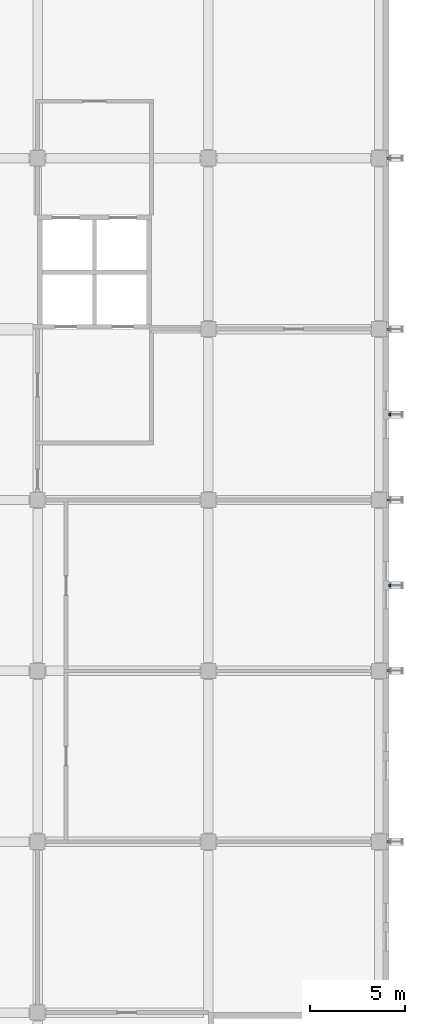
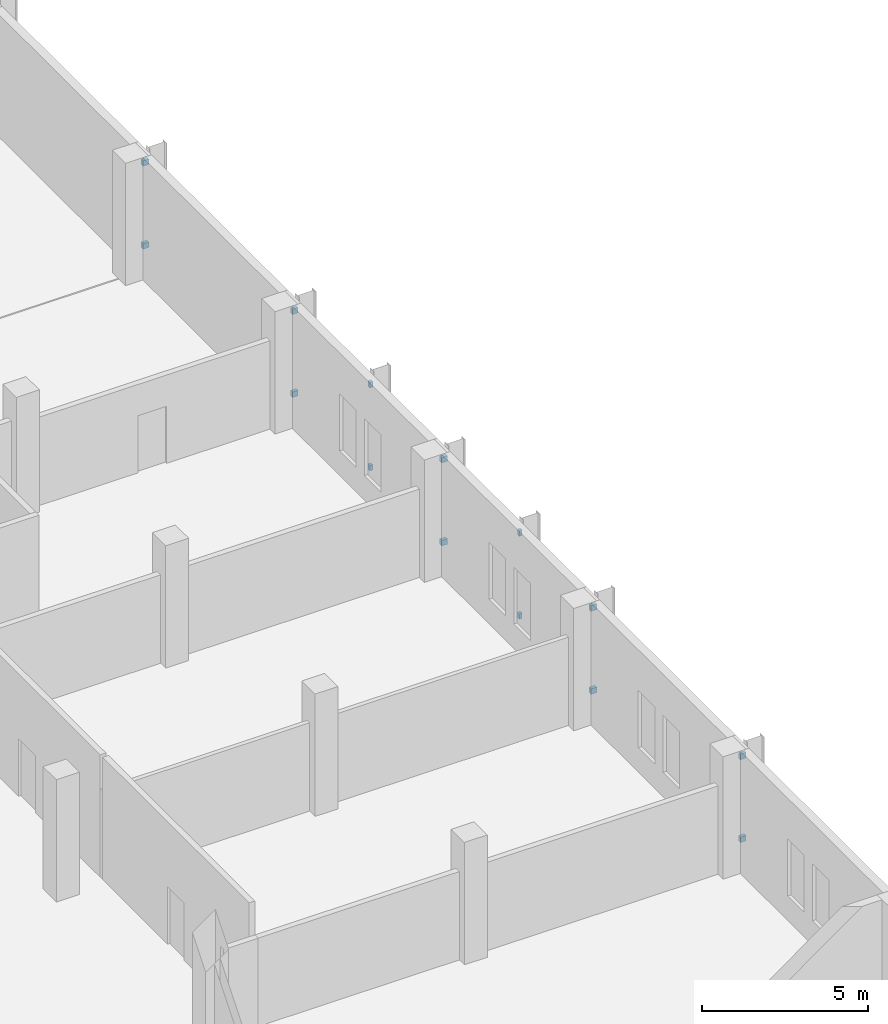
# One storey, part 129 of 168: 14 discrete accessories.
"""IFC4 building model written with IfcOpenShell, lengths in metres."""

import ifcopenshell
import ifcopenshell.guid

model = None  # the IFC model being written
_history = None  # IfcOwnerHistory: only IFC2X3 demands one
_inside = {}  # id of a spatial element -> (the spatial element, [elements in it])
_under = {}  # id of a project, library or spatial element -> (it, [spatial elements below it])
_declared = {}  # id of a project -> (the project, [libraries it declares])
_typed = {}  # id of a type object -> (the type object, [elements of that type])
_made_of = {}  # id of a material, layer set ... -> (it, [elements and type objects made of it])


def new_model(schema):
    """Start an empty IFC model of exactly this schema.

    Asked for "IFC4X3", IfcOpenShell would pick the latest addendum, in which some entities
    have other attributes; the version numbers below select the first issue.
    IFC2X3 requires an IfcOwnerHistory on every rooted entity: one is made here for all.
    """
    global model, _history
    if schema == "IFC4X3":
        model = ifcopenshell.file(schema_version=(4, 3, 0, 0))
    else:
        model = ifcopenshell.file(schema=schema)
    _inside.clear()
    _under.clear()
    _declared.clear()
    _typed.clear()
    _made_of.clear()
    _history = None
    if model.schema == "IFC2X3":
        org = make("IfcOrganization", Name="unknown")
        user = make(
            "IfcPersonAndOrganization",
            ThePerson=make("IfcPerson", FamilyName="unknown"),
            TheOrganization=org,
        )
        app = make(
            "IfcApplication",
            ApplicationDeveloper=org,
            Version="unknown",
            ApplicationFullName="unknown",
            ApplicationIdentifier="unknown",
        )
        _history = make(
            "IfcOwnerHistory",
            OwningUser=user,
            OwningApplication=app,
            ChangeAction="ADDED",
            CreationDate=0,
        )
    return model


def make(cls, **values):
    """One entity of the class cls with the attributes given. An attribute that is None is left unset."""
    return model.create_entity(
        cls, **{name: value for name, value in values.items() if value is not None}
    )


def rooted(cls, **values):
    """An entity with a GlobalId (a new one), such as an element, a storey or a relation."""
    return make(cls, GlobalId=ifcopenshell.guid.new(), OwnerHistory=_history, **values)


def si_unit(unit_type, name, prefix=None):
    """IfcSIUnit, for example si_unit("LENGTHUNIT", "METRE", prefix="MILLI")."""
    return make("IfcSIUnit", UnitType=unit_type, Prefix=prefix, Name=name)


def assignment(units):
    """IfcUnitAssignment: the units of a project."""
    return None if units is None else make("IfcUnitAssignment", Units=units)


def point(xyz):
    """IfcCartesianPoint."""
    return None if xyz is None else make("IfcCartesianPoint", Coordinates=xyz)


def direction(xyz):
    """IfcDirection."""
    return None if xyz is None else make("IfcDirection", DirectionRatios=xyz)


def frame(location, z_axis=None, x_axis=None):
    """IfcAxis2Placement3D, a coordinate frame: its origin and axes. An axis left out is left unset."""
    return make(
        "IfcAxis2Placement3D",
        Location=point(location),
        Axis=direction(z_axis),
        RefDirection=direction(x_axis),
    )


def frame_2d(location, x_axis=None):
    """IfcAxis2Placement2D, a coordinate frame in the plane: its origin and x axis."""
    return make(
        "IfcAxis2Placement2D", Location=point(location), RefDirection=direction(x_axis)
    )


def origin():
    """The frame at (0, 0, 0) with its axes left unset."""
    return frame((0.0, 0.0, 0.0))


def origin_2d():
    """The frame at (0, 0) in the plane with its x axis left unset."""
    return frame_2d((0.0, 0.0))


def place(relative_to, where):
    """IfcLocalPlacement: puts the frame where relative to a parent placement (None: the world)."""
    return make(
        "IfcLocalPlacement", PlacementRelTo=relative_to, RelativePlacement=where
    )


def context(
    kind, dimensions, precision=None, world=None, true_north=None, identifier=None
):
    """IfcGeometricRepresentationContext, for example the 3D "Model" context."""
    return make(
        "IfcGeometricRepresentationContext",
        ContextIdentifier=identifier,
        ContextType=kind,
        CoordinateSpaceDimension=dimensions,
        Precision=precision,
        WorldCoordinateSystem=world,
        TrueNorth=true_north,
    )


def subcontext(parent, identifier, kind, view, scale=None):
    """IfcGeometricRepresentationSubContext, for example "Body" below "Model"."""
    return make(
        "IfcGeometricRepresentationSubContext",
        ContextIdentifier=identifier,
        ContextType=kind,
        ParentContext=parent,
        TargetScale=scale,
        TargetView=view,
    )


def project(units=None, contexts=None):
    """IfcProject with its units and contexts."""
    return rooted(
        "IfcProject",
        Name="project",
        RepresentationContexts=contexts,
        UnitsInContext=assignment(units),
    )


def spatial(cls, under=None, at=None, **own):
    """A site, building, storey or space (cls), placed at a placement, below another one or the project."""
    s = rooted(cls, ObjectPlacement=at, **own)
    if under is not None:
        _under.setdefault(under.id(), (under, []))[1].append(s)
    return s


def profile(cls, at=None, kind="AREA", **sizes):
    """A parametric profile (cls). Its sizes go by their IFC names, for example OverallWidth=200.0."""
    return make(cls, ProfileType=kind, Position=at, **sizes)


def rectangle(**sizes):
    """IfcRectangleProfileDef."""
    return profile("IfcRectangleProfileDef", **sizes)


def extrude(swept, where, along, depth):
    """IfcExtrudedAreaSolid: the profile swept, set in the frame where, extruded along a direction by depth."""
    return make(
        "IfcExtrudedAreaSolid",
        SweptArea=swept,
        Position=where,
        ExtrudedDirection=direction(along),
        Depth=depth,
    )


def shape(context_of_items, identifier, shape_type, items):
    """IfcShapeRepresentation: the items that make up one representation, for example the "Body"."""
    return make(
        "IfcShapeRepresentation",
        ContextOfItems=context_of_items,
        RepresentationIdentifier=identifier,
        RepresentationType=shape_type,
        Items=items,
    )


def material(Name=None, Category=None):
    """IfcMaterial."""
    return make("IfcMaterial", Name=Name, Category=Category)


def made_of(thing, what):
    """Note that an element or type object is made of a material, layer set ...; save() writes the relation."""
    if what is not None:
        _made_of.setdefault(what.id(), (what, []))[1].append(thing)
    return thing


def type_object(cls, material=None, **own):
    """A type object (cls), such as IfcWallType, which elements share."""
    return made_of(rooted(cls, **own), material)


def element(
    cls,
    number,
    at=None,
    inside=None,
    cuts=None,
    type_object=None,
    material=None,
    context=None,
    identifier="Body",
    shape_type=None,
    held_by="IfcProductDefinitionShape",
    body=None,
    shapes=None,
    **own,
):
    """One element of the class cls, such as IfcWall. Its Tag is "e" and its number.

    at: its placement. inside: the storey or other place that contains it. cuts: it is an
    opening in that element (IfcRelVoidsElement). A single representation is given by context,
    identifier, shape_type and body (its items); several are given by shapes. held_by: the class
    of the entity that holds the representations. save() writes the other relations.
    """
    e = rooted(cls, Tag="e%d" % number, ObjectPlacement=at, **own)
    if body is not None:
        shapes = [shape(context, identifier, shape_type, body)]
    if shapes is not None:
        e.Representation = make(held_by, Representations=shapes)
    if inside is not None:
        _inside.setdefault(inside.id(), (inside, []))[1].append(e)
    if cuts is not None:
        rooted(
            "IfcRelVoidsElement", RelatingBuildingElement=cuts, RelatedOpeningElement=e
        )
    if type_object is not None:
        _typed.setdefault(type_object.id(), (type_object, []))[1].append(e)
    return made_of(e, material)


def aggregate(whole, parts):
    """IfcRelAggregates: a whole, such as a stair, and the parts it consists of."""
    return rooted("IfcRelAggregates", RelatingObject=whole, RelatedObjects=parts)


def save(model, path):
    """Write the relations noted so far, then the file.

    IfcRelAggregates (storeys below a building ...), IfcRelContainedInSpatialStructure (elements
    in a storey), IfcRelDefinesByType, IfcRelAssociatesMaterial and IfcRelDeclares: one each for
    every whole, place, type object, material and project.
    """
    for whole, parts in _under.values():
        aggregate(whole, parts)
    for where, things in _inside.values():
        rooted(
            "IfcRelContainedInSpatialStructure",
            RelatedElements=things,
            RelatingStructure=where,
        )
    for kind, things in _typed.values():
        rooted("IfcRelDefinesByType", RelatedObjects=things, RelatingType=kind)
    for what, things in _made_of.values():
        rooted("IfcRelAssociatesMaterial", RelatedObjects=things, RelatingMaterial=what)
    for by, libraries in _declared.values():
        rooted("IfcRelDeclares", RelatingContext=by, RelatedDefinitions=libraries)
    model.write(path)


model = new_model("IFC4")

# Units and contexts
model_context = context("Model", 3, precision=1e-05, world=origin(), true_north=direction((0.0, 1.0)))
body_context = subcontext(model_context, "Body", "Model", "MODEL_VIEW")
ifc_project = project(units=[si_unit("LENGTHUNIT", "METRE"), si_unit("AREAUNIT", "SQUARE_METRE"), si_unit("VOLUMEUNIT", "CUBIC_METRE"), si_unit("PLANEANGLEUNIT", "RADIAN"), si_unit("MASSUNIT", "GRAM", prefix="KILO")], contexts=[model_context])

# Site, building, storey
site_placement = place(None, origin())
site = spatial("IfcSite", under=ifc_project, at=site_placement, CompositionType="ELEMENT")
building_placement = place(site_placement, origin())
building = spatial("IfcBuilding", under=site, at=building_placement, Name="Silverbay Arena", CompositionType="ELEMENT")
storey_placement = place(building_placement, frame((0.0, 0.0, 7.0)))
storey = spatial("IfcBuildingStorey", under=building, at=storey_placement, Name="L01", CompositionType="ELEMENT", Elevation=7.0)

# Discrete accessories
ifc_material = material(Name="Steel S355", Category="steel")
discrete_accessory_type = type_object("IfcDiscreteAccessoryType", Name="Steel bracket plate", PredefinedType="BRACKET", material=ifc_material)
for number, where, z_axis, x_axis, name in (
    (1, (234.5, 45.0, 0.85009765625), (0.0, 0.0, 1.0), (1.0, 0.0, 0.0), "Fin bracket"),
    (2, (234.5, 45.0, 3.89990234375), (0.0, 0.0, 1.0), (1.0, 0.0, 0.0), "Fin bracket"),
    (3, (234.5, 54.0, 0.85009765625), (0.0, 0.0, 1.0), (1.0, 0.0, 0.0), "Fin bracket"),
    (4, (234.5, 54.0, 3.89990234375), (0.0, 0.0, 1.0), (1.0, 0.0, 0.0), "Fin bracket"),
):
    element("IfcDiscreteAccessory", number, at=place(storey_placement, frame(where, z_axis=z_axis, x_axis=x_axis)), inside=storey, type_object=discrete_accessory_type, Name=name, PredefinedType="BRACKET", context=body_context, shape_type="SweptSolid", body=[
        extrude(rectangle(XDim=0.199951171875, YDim=0.1201171875, at=origin_2d()), origin(), (0.0, 0.0, 1.0), 0.199951171875),
    ])
for number, where, z_axis, x_axis, name in (
    (5, (234.550048828125, 58.5, 0.85009765625), (0.0, 0.0, 1.0), (1.0, 0.0, 0.0), "Fin bracket"),
    (6, (234.550048828125, 58.5, 3.89990234375), (0.0, 0.0, 1.0), (1.0, 0.0, 0.0), "Fin bracket"),
):
    element("IfcDiscreteAccessory", number, at=place(storey_placement, frame(where, z_axis=z_axis, x_axis=x_axis)), inside=storey, type_object=discrete_accessory_type, Name=name, PredefinedType="BRACKET", context=body_context, shape_type="SweptSolid", body=[
        extrude(rectangle(XDim=0.10009765625, YDim=0.1201171875, at=origin_2d()), origin(), (0.0, 0.0, 1.0), 0.199951171875),
    ])
for number, where, z_axis, x_axis, name in (
    (7, (234.5, 63.0, 0.85009765625), (0.0, 0.0, 1.0), (1.0, 0.0, 0.0), "Fin bracket"),
    (8, (234.5, 63.0, 3.89990234375), (0.0, 0.0, 1.0), (1.0, 0.0, 0.0), "Fin bracket"),
):
    element("IfcDiscreteAccessory", number, at=place(storey_placement, frame(where, z_axis=z_axis, x_axis=x_axis)), inside=storey, type_object=discrete_accessory_type, Name=name, PredefinedType="BRACKET", context=body_context, shape_type="SweptSolid", body=[
        extrude(rectangle(XDim=0.199951171875, YDim=0.1201171875, at=origin_2d()), origin(), (0.0, 0.0, 1.0), 0.199951171875),
    ])
for number, where, z_axis, x_axis, name in (
    (9, (234.550048828125, 67.5, 0.85009765625), (0.0, 0.0, 1.0), (1.0, 0.0, 0.0), "Fin bracket"),
    (10, (234.550048828125, 67.5, 3.89990234375), (0.0, 0.0, 1.0), (1.0, 0.0, 0.0), "Fin bracket"),
):
    element("IfcDiscreteAccessory", number, at=place(storey_placement, frame(where, z_axis=z_axis, x_axis=x_axis)), inside=storey, type_object=discrete_accessory_type, Name=name, PredefinedType="BRACKET", context=body_context, shape_type="SweptSolid", body=[
        extrude(rectangle(XDim=0.10009765625, YDim=0.1201171875, at=origin_2d()), origin(), (0.0, 0.0, 1.0), 0.199951171875),
    ])
for number, where, z_axis, x_axis, name in (
    (11, (234.5, 72.0, 0.85009765625), (0.0, 0.0, 1.0), (1.0, 0.0, 0.0), "Fin bracket"),
    (12, (234.5, 72.0, 3.89990234375), (0.0, 0.0, 1.0), (1.0, 0.0, 0.0), "Fin bracket"),
    (13, (234.5, 81.0, 0.85009765625), (0.0, 0.0, 1.0), (1.0, 0.0, 0.0), "Fin bracket"),
    (14, (234.5, 81.0, 3.89990234375), (0.0, 0.0, 1.0), (1.0, 0.0, 0.0), "Fin bracket"),
):
    element("IfcDiscreteAccessory", number, at=place(storey_placement, frame(where, z_axis=z_axis, x_axis=x_axis)), inside=storey, type_object=discrete_accessory_type, Name=name, PredefinedType="BRACKET", context=body_context, shape_type="SweptSolid", body=[
        extrude(rectangle(XDim=0.199951171875, YDim=0.1201171875, at=origin_2d()), origin(), (0.0, 0.0, 1.0), 0.199951171875),
    ])

save(model, "model.ifc")
